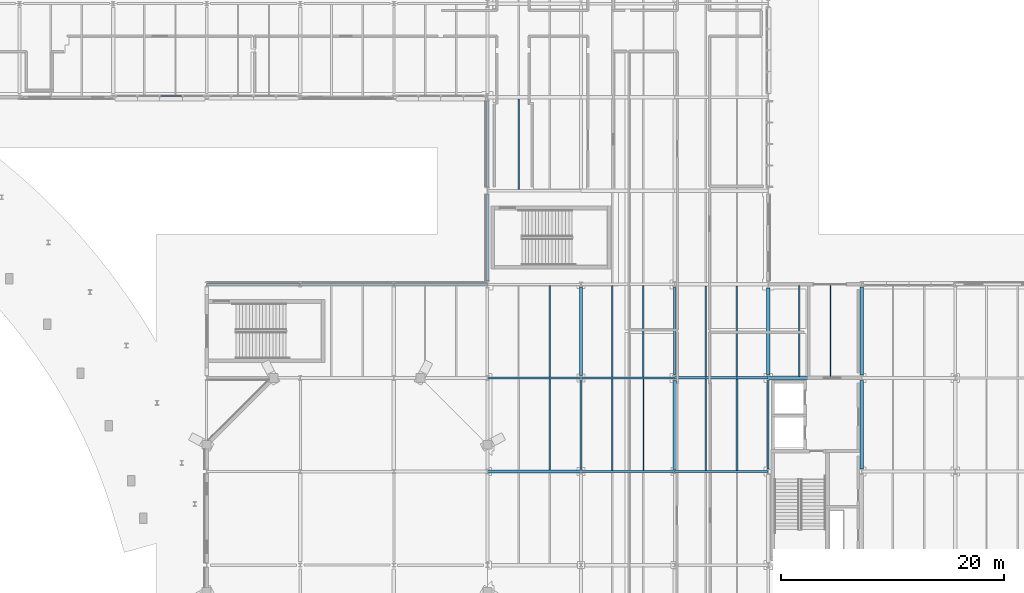
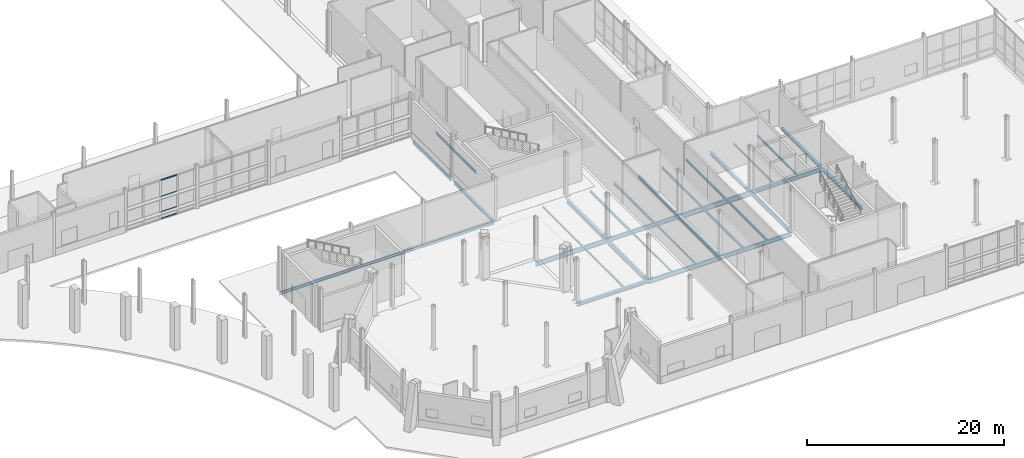
# One storey, part 24 of 124: 33 beams, 4 members, 1 element without a shape of its own.
"""IFC4 building model written with IfcOpenShell, lengths in metres."""

from ifc_helpers import new_model, si_unit, direction, frame, origin, origin_2d, place, context, subcontext, project, spatial, hollow_rectangle, i_section, extrude, material, material_profile, profile_set, type_object, element, aggregate, save


model = new_model("IFC4")

# Units and contexts
model_context = context("Model", 3, precision=1e-05, world=origin(), true_north=direction((0.0, 1.0)))
body_context = subcontext(model_context, "Body", "Model", "MODEL_VIEW")
ifc_project = project(units=[si_unit("LENGTHUNIT", "METRE"), si_unit("AREAUNIT", "SQUARE_METRE"), si_unit("VOLUMEUNIT", "CUBIC_METRE"), si_unit("PLANEANGLEUNIT", "RADIAN"), si_unit("MASSUNIT", "GRAM", prefix="KILO")], contexts=[model_context])

# Site, building, storey
site_placement = place(None, origin())
site = spatial("IfcSite", under=ifc_project, at=site_placement, CompositionType="ELEMENT")
building_placement = place(site_placement, origin())
building = spatial("IfcBuilding", under=site, at=building_placement, Name="Mersafa Astral City Hall", CompositionType="ELEMENT")
storey_placement = place(building_placement, origin())
storey = spatial("IfcBuildingStorey", under=building, at=storey_placement, Name="L00", CompositionType="ELEMENT", Elevation=0.0)

# Curtain wall, members
ifc_material_1 = material(Name="Anodised bronze aluminium framing", Category="aluminium")
curtain_wall_type = type_object("IfcCurtainWallType", Name="ENV-CW-1", PredefinedType="USERDEFINED", material=ifc_material_1)
curtain_wall_placement = place(storey_placement, origin())
curtain_wall = element("IfcCurtainWall", 1, at=curtain_wall_placement, inside=storey, type_object=curtain_wall_type, Name="L00 Unitised solar curtain wall 42", ObjectType="UNITISED CURTAIN WALL", PredefinedType="USERDEFINED")
ifc_material_profile_1 = material_profile(ifc_material_1, hollow_rectangle(XDim=0.06005859375, YDim=0.159912109375, WallThickness=0.00390625, at=origin_2d()), Name="RHS 60x160x4")
ifc_profile_set_1 = profile_set([ifc_material_profile_1], Name="Anodised bronze aluminium framing")
member_type = type_object("IfcMemberType", Name="ENV-CW-TRN-2", PredefinedType="USERDEFINED", material=ifc_profile_set_1)
member_1_placement = place(storey_placement, frame((63.06005859375, 50.52001953125, 0.028076171875), z_axis=(1.0, 0.0, 0.0), x_axis=(0.0, 1.0, 0.0)))
member_1 = element("IfcMember", 2, at=member_1_placement, type_object=member_type, Name="CW-1 transom 3.1", ObjectType="TRANSOM", PredefinedType="USERDEFINED", context=body_context, shape_type="SweptSolid", body=[
    extrude(hollow_rectangle(XDim=0.06005859375, YDim=0.159912109375, WallThickness=0.00390625, at=origin_2d()), origin(), (0.0, 0.0, 1.0), 1.89892578125),
])
member_2_placement = place(storey_placement, frame((63.06005859375, 50.52001953125, 0.85009765625), z_axis=(1.0, 0.0, 0.0), x_axis=(0.0, 1.0, 0.0)))
member_2 = element("IfcMember", 3, at=member_2_placement, type_object=member_type, Name="CW-1 transom 3.2", ObjectType="TRANSOM", PredefinedType="USERDEFINED", context=body_context, shape_type="SweptSolid", body=[
    extrude(hollow_rectangle(XDim=0.06005859375, YDim=0.159912109375, WallThickness=0.00390625, at=origin_2d()), origin(), (0.0, 0.0, 1.0), 1.89892578125),
])
member_3_placement = place(storey_placement, frame((63.06005859375, 50.52001953125, 2.75), z_axis=(1.0, 0.0, 0.0), x_axis=(0.0, 1.0, 0.0)))
member_3 = element("IfcMember", 4, at=member_3_placement, type_object=member_type, Name="CW-1 transom 3.3", ObjectType="TRANSOM", PredefinedType="USERDEFINED", context=body_context, shape_type="SweptSolid", body=[
    extrude(hollow_rectangle(XDim=0.06005859375, YDim=0.159912109375, WallThickness=0.00390625, at=origin_2d()), origin(), (0.0, 0.0, 1.0), 1.89892578125),
])
member_4_placement = place(storey_placement, frame((63.06005859375, 50.52001953125, 4.81201171875), z_axis=(1.0, 0.0, 0.0), x_axis=(0.0, 1.0, 0.0)))
member_4 = element("IfcMember", 5, at=member_4_placement, type_object=member_type, Name="CW-1 transom 3.4", ObjectType="TRANSOM", PredefinedType="USERDEFINED", context=body_context, shape_type="SweptSolid", body=[
    extrude(hollow_rectangle(XDim=0.06005859375, YDim=0.159912109375, WallThickness=0.00390625, at=origin_2d()), origin(), (0.0, 0.0, 1.0), 1.89892578125),
])
aggregate(curtain_wall, [member_1, member_2, member_3, member_4])

# Beams
ifc_material_2 = material(Name="Steel S355", Category="steel")
ifc_material_profile_2 = material_profile(ifc_material_2, i_section(OverallWidth=0.300048828125, OverallDepth=0.31005859375, WebThickness=0.009033203125, FlangeThickness=0.015380859375, FilletRadius=0.027099609375, at=origin_2d()), Name="HEA 320")
ifc_profile_set_2 = profile_set([ifc_material_profile_2], Name="Steel S355")
beam_type_1 = type_object("IfcBeamType", Name="STR-BM-HEA320", PredefinedType="BEAM", material=ifc_profile_set_2)
beam_1_placement = place(storey_placement, frame((126.0, 25.445068359375, -0.405029296875), z_axis=(0.0, 1.0, 0.0), x_axis=(-1.0, 0.0, 0.0)))
element("IfcBeam", 6, at=beam_1_placement, inside=storey, type_object=beam_type_1, Name="L00 Primary girder Y 15-3", PredefinedType="BEAM", context=body_context, shape_type="SweptSolid", body=[
    extrude(i_section(OverallWidth=0.300048828125, OverallDepth=0.31005859375, WebThickness=0.009033203125, FlangeThickness=0.015380859375, FilletRadius=0.027099609375, at=origin_2d()), origin(), (0.0, 0.0, 1.0), 7.909912109375),
])
ifc_material_profile_3 = material_profile(ifc_material_2, i_section(OverallWidth=0.300048828125, OverallDepth=0.35009765625, WebThickness=0.010009765625, FlangeThickness=0.017578125, FilletRadius=0.027099609375, at=origin_2d()), Name="HEA 360")
ifc_profile_set_3 = profile_set([ifc_material_profile_3], Name="Steel S355")
beam_type_2 = type_object("IfcBeamType", Name="STR-BM-HEA360", PredefinedType="BEAM", material=ifc_profile_set_3)
beam_2_placement = place(storey_placement, frame((117.60009765625, 25.445068359375, -0.425048828125), z_axis=(0.0, 1.0, 0.0), x_axis=(-1.0, 0.0, 0.0)))
element("IfcBeam", 7, at=beam_2_placement, inside=storey, type_object=beam_type_2, Name="L00 Primary girder Y 14-3", PredefinedType="BEAM", context=body_context, shape_type="SweptSolid", body=[
    extrude(i_section(OverallWidth=0.300048828125, OverallDepth=0.35009765625, WebThickness=0.010009765625, FlangeThickness=0.017578125, FilletRadius=0.027099609375, at=origin_2d()), origin(), (0.0, 0.0, 1.0), 7.8349609375),
])
beam_3_placement = place(storey_placement, frame((126.0, 17.044921875, -0.425048828125), z_axis=(0.0, 1.0, 0.0), x_axis=(-1.0, 0.0, 0.0)))
element("IfcBeam", 8, at=beam_3_placement, inside=storey, type_object=beam_type_2, Name="L00 Primary girder Y 15-2", PredefinedType="BEAM", context=body_context, shape_type="SweptSolid", body=[
    extrude(i_section(OverallWidth=0.300048828125, OverallDepth=0.35009765625, WebThickness=0.010009765625, FlangeThickness=0.017578125, FilletRadius=0.027099609375, at=origin_2d()), origin(), (0.0, 0.0, 1.0), 7.91015625),
])
ifc_material_profile_4 = material_profile(ifc_material_2, i_section(OverallWidth=0.300048828125, OverallDepth=0.389892578125, WebThickness=0.010986328125, FlangeThickness=0.01904296875, FilletRadius=0.027099609375, at=origin_2d()), Name="HEA 400")
ifc_profile_set_4 = profile_set([ifc_material_profile_4], Name="Steel S355")
beam_type_3 = type_object("IfcBeamType", Name="STR-BM-HEA400", PredefinedType="BEAM", material=ifc_profile_set_4)
beam_4_placement = place(storey_placement, frame((92.403076171875, 16.800048828125, -0.445068359375), z_axis=(1.0, 0.0, 0.0), x_axis=(0.0, 1.0, 0.0)))
element("IfcBeam", 9, at=beam_4_placement, inside=storey, type_object=beam_type_3, Name="L00 Primary girder X 11-2", PredefinedType="BEAM", context=body_context, shape_type="SweptSolid", body=[
    extrude(i_section(OverallWidth=0.300048828125, OverallDepth=0.389892578125, WebThickness=0.010986328125, FlangeThickness=0.01904296875, FilletRadius=0.027099609375, at=origin_2d()), origin(), (0.0, 0.0, 1.0), 8.39404296875),
])
ifc_material_profile_5 = material_profile(ifc_material_2, i_section(OverallWidth=0.300048828125, OverallDepth=0.43994140625, WebThickness=0.011474609375, FlangeThickness=0.02099609375, FilletRadius=0.027099609375, at=origin_2d()), Name="HEA 450")
ifc_profile_set_5 = profile_set([ifc_material_profile_5], Name="Steel S355")
beam_type_4 = type_object("IfcBeamType", Name="STR-BM-HEA450", PredefinedType="BEAM", material=ifc_profile_set_5)
beam_5_placement = place(storey_placement, frame((117.60302734375, 25.199951171875, -0.469970703125), z_axis=(1.0, 0.0, 0.0), x_axis=(0.0, 1.0, 0.0)))
element("IfcBeam", 10, at=beam_5_placement, inside=storey, type_object=beam_type_4, Name="L00 Primary girder X 14-3", PredefinedType="BEAM", context=body_context, shape_type="SweptSolid", body=[
    extrude(i_section(OverallWidth=0.300048828125, OverallDepth=0.43994140625, WebThickness=0.011474609375, FlangeThickness=0.02099609375, FilletRadius=0.027099609375, at=origin_2d()), origin(), (0.0, 0.0, 1.0), 8.39404296875),
])
ifc_material_profile_6 = material_profile(ifc_material_2, i_section(OverallWidth=0.300048828125, OverallDepth=0.489990234375, WebThickness=0.011962890625, FlangeThickness=0.02294921875, FilletRadius=0.027099609375, at=origin_2d()), Name="HEA 500")
ifc_profile_set_6 = profile_set([ifc_material_profile_6], Name="Steel S355")
beam_type_5 = type_object("IfcBeamType", Name="STR-BM-HEA500", PredefinedType="BEAM", material=ifc_profile_set_6)
for number, where, z_axis, x_axis, name in (
    (11, (100.800048828125, 25.419921875, -0.4951171875), (0.0, 1.0, 0.0), (-1.0, 0.0, 0.0), "L00 Primary girder Y 12-3"),
    (12, (109.199951171875, 16.9951171875, -0.4951171875), (0.0, 1.0, 0.0), (-1.0, 0.0, 0.0), "L00 Primary girder Y 13-2"),
):
    element("IfcBeam", number, at=place(storey_placement, frame(where, z_axis=z_axis, x_axis=x_axis)), inside=storey, type_object=beam_type_5, Name=name, PredefinedType="BEAM", context=body_context, shape_type="SweptSolid", body=[
        extrude(i_section(OverallWidth=0.300048828125, OverallDepth=0.489990234375, WebThickness=0.011962890625, FlangeThickness=0.02294921875, FilletRadius=0.027099609375, at=origin_2d()), origin(), (0.0, 0.0, 1.0), 7.9599609375),
    ])
ifc_material_profile_7 = material_profile(ifc_material_2, i_section(OverallWidth=0.179931640625, OverallDepth=0.39990234375, WebThickness=0.008544921875, FlangeThickness=0.013427734375, FilletRadius=0.02099609375, at=origin_2d()), Name="IPE 400")
ifc_profile_set_7 = profile_set([ifc_material_profile_7], Name="Steel S355")
beam_type_6 = type_object("IfcBeamType", Name="STR-BM-IPE400", PredefinedType="BEAM", material=ifc_profile_set_7)
beam_6_placement = place(storey_placement, frame((109.199951171875, 25.445068359375, -0.449951171875), z_axis=(0.0, 1.0, 0.0), x_axis=(-1.0, 0.0, 0.0)))
element("IfcBeam", 13, at=beam_6_placement, inside=storey, type_object=beam_type_6, Name="L00 Primary girder Y 13-3", PredefinedType="BEAM", context=body_context, shape_type="SweptSolid", body=[
    extrude(i_section(OverallWidth=0.179931640625, OverallDepth=0.39990234375, WebThickness=0.008544921875, FlangeThickness=0.013427734375, FilletRadius=0.02099609375, at=origin_2d()), origin(), (0.0, 0.0, 1.0), 7.909912109375),
])
beam_7_placement = place(storey_placement, frame((117.60009765625, 17.044921875, -0.449951171875), z_axis=(0.0, 1.0, 0.0), x_axis=(-1.0, 0.0, 0.0)))
element("IfcBeam", 14, at=beam_7_placement, inside=storey, type_object=beam_type_6, Name="L00 Primary girder Y 14-2", PredefinedType="BEAM", context=body_context, shape_type="SweptSolid", body=[
    extrude(i_section(OverallWidth=0.179931640625, OverallDepth=0.39990234375, WebThickness=0.008544921875, FlangeThickness=0.013427734375, FilletRadius=0.02099609375, at=origin_2d()), origin(), (0.0, 0.0, 1.0), 7.91015625),
])
ifc_material_profile_8 = material_profile(ifc_material_2, i_section(OverallWidth=0.199951171875, OverallDepth=0.5, WebThickness=0.01025390625, FlangeThickness=0.01611328125, FilletRadius=0.02099609375, at=origin_2d()), Name="IPE 500")
ifc_profile_set_8 = profile_set([ifc_material_profile_8], Name="Steel S355")
beam_type_7 = type_object("IfcBeamType", Name="STR-BM-IPE500", PredefinedType="BEAM", material=ifc_profile_set_8)
for number, where, z_axis, x_axis, name in (
    (15, (109.202880859375, 16.800048828125, -0.5), (1.0, 0.0, 0.0), (0.0, 1.0, 0.0), "L00 Primary girder X 13-2"),
    (16, (100.802978515625, 25.199951171875, -0.5), (1.0, 0.0, 0.0), (0.0, 1.0, 0.0), "L00 Primary girder X 12-3"),
):
    element("IfcBeam", number, at=place(storey_placement, frame(where, z_axis=z_axis, x_axis=x_axis)), inside=storey, type_object=beam_type_7, Name=name, PredefinedType="BEAM", context=body_context, shape_type="SweptSolid", body=[
        extrude(i_section(OverallWidth=0.199951171875, OverallDepth=0.5, WebThickness=0.01025390625, FlangeThickness=0.01611328125, FilletRadius=0.02099609375, at=origin_2d()), origin(), (0.0, 0.0, 1.0), 8.39404296875),
    ])
ifc_material_profile_9 = material_profile(ifc_material_2, i_section(OverallWidth=0.2099609375, OverallDepth=0.550048828125, WebThickness=0.010986328125, FlangeThickness=0.01708984375, FilletRadius=0.02392578125, at=origin_2d()), Name="IPE 550")
ifc_profile_set_9 = profile_set([ifc_material_profile_9], Name="Steel S355")
beam_type_8 = type_object("IfcBeamType", Name="STR-BM-IPE550", PredefinedType="BEAM", material=ifc_profile_set_9)
for number, where, z_axis, x_axis, name in (
    (17, (100.802978515625, 16.800048828125, -0.52490234375), (1.0, 0.0, 0.0), (0.0, 1.0, 0.0), "L00 Primary girder X 12-2"),
    (18, (92.403076171875, 25.199951171875, -0.52490234375), (1.0, 0.0, 0.0), (0.0, 1.0, 0.0), "L00 Primary girder X 11-3"),
):
    element("IfcBeam", number, at=place(storey_placement, frame(where, z_axis=z_axis, x_axis=x_axis)), inside=storey, type_object=beam_type_8, Name=name, PredefinedType="BEAM", context=body_context, shape_type="SweptSolid", body=[
        extrude(i_section(OverallWidth=0.2099609375, OverallDepth=0.550048828125, WebThickness=0.010986328125, FlangeThickness=0.01708984375, FilletRadius=0.02392578125, at=origin_2d()), origin(), (0.0, 0.0, 1.0), 8.39404296875),
    ])
ifc_material_profile_10 = material_profile(ifc_material_2, i_section(OverallWidth=0.219970703125, OverallDepth=0.60009765625, WebThickness=0.011962890625, FlangeThickness=0.01904296875, FilletRadius=0.02392578125, at=origin_2d()), Name="IPE 600")
ifc_profile_set_10 = profile_set([ifc_material_profile_10], Name="Steel S355")
beam_type_9 = type_object("IfcBeamType", Name="STR-BM-IPE600", PredefinedType="BEAM", material=ifc_profile_set_10)
beam_8_placement = place(storey_placement, frame((109.202880859375, 25.199951171875, -0.550048828125), z_axis=(1.0, 0.0, 0.0), x_axis=(0.0, 1.0, 0.0)))
element("IfcBeam", 19, at=beam_8_placement, inside=storey, type_object=beam_type_9, Name="L00 Primary girder X 13-3", PredefinedType="BEAM", context=body_context, shape_type="SweptSolid", body=[
    extrude(i_section(OverallWidth=0.219970703125, OverallDepth=0.60009765625, WebThickness=0.011962890625, FlangeThickness=0.01904296875, FilletRadius=0.02392578125, at=origin_2d()), origin(), (0.0, 0.0, 1.0), 8.39404296875),
])
beam_9_placement = place(storey_placement, frame((100.800048828125, 16.9951171875, -0.550048828125), z_axis=(0.0, 1.0, 0.0), x_axis=(-1.0, 0.0, 0.0)))
element("IfcBeam", 20, at=beam_9_placement, inside=storey, type_object=beam_type_9, Name="L00 Primary girder Y 12-2", PredefinedType="BEAM", context=body_context, shape_type="SweptSolid", body=[
    extrude(i_section(OverallWidth=0.219970703125, OverallDepth=0.60009765625, WebThickness=0.011962890625, FlangeThickness=0.01904296875, FilletRadius=0.02392578125, at=origin_2d()), origin(), (0.0, 0.0, 1.0), 7.98486328125),
])
ifc_material_profile_11 = material_profile(ifc_material_2, i_section(OverallWidth=0.110107421875, OverallDepth=0.219970703125, WebThickness=0.005859375, FlangeThickness=0.00927734375, FilletRadius=0.011962890625, at=origin_2d()), Name="IPE 220")
ifc_profile_set_11 = profile_set([ifc_material_profile_11], Name="Steel S355")
beam_type_10 = type_object("IfcBeamType", Name="STR-BM-JOIST-IPE220", PredefinedType="JOIST", material=ifc_profile_set_11)
beam_10_placement = place(storey_placement, frame((98.0, 25.300048828125, -0.360107421875), z_axis=(0.0, 1.0, 0.0), x_axis=(-1.0, 0.0, 0.0)))
element("IfcBeam", 21, at=beam_10_placement, inside=storey, type_object=beam_type_10, Name="L00 Composite secondary floor joist 63", PredefinedType="JOIST", context=body_context, shape_type="SweptSolid", body=[
    extrude(i_section(OverallWidth=0.110107421875, OverallDepth=0.219970703125, WebThickness=0.005859375, FlangeThickness=0.00927734375, FilletRadius=0.011962890625, at=origin_2d()), origin(), (0.0, 0.0, 1.0), 8.204833984375),
])
for number, where, z_axis, x_axis, name in (
    (22, (103.60009765625, 16.89990234375, -0.360107421875), (0.0, 1.0, 0.0), (-1.0, 0.0, 0.0), "L00 Composite secondary floor joist 82"),
    (23, (106.39990234375, 16.89990234375, -0.360107421875), (0.0, 1.0, 0.0), (-1.0, 0.0, 0.0), "L00 Composite secondary floor joist 83"),
):
    element("IfcBeam", number, at=place(storey_placement, frame(where, z_axis=z_axis, x_axis=x_axis)), inside=storey, type_object=beam_type_10, Name=name, PredefinedType="JOIST", context=body_context, shape_type="SweptSolid", body=[
        extrude(i_section(OverallWidth=0.110107421875, OverallDepth=0.219970703125, WebThickness=0.005859375, FlangeThickness=0.00927734375, FilletRadius=0.011962890625, at=origin_2d()), origin(), (0.0, 0.0, 1.0), 8.205078125),
    ])
ifc_material_profile_12 = material_profile(ifc_material_2, i_section(OverallWidth=0.1201171875, OverallDepth=0.239990234375, WebThickness=0.006103515625, FlangeThickness=0.009765625, FilletRadius=0.014892578125, at=origin_2d()), Name="IPE 240")
ifc_profile_set_12 = profile_set([ifc_material_profile_12], Name="Steel S355")
beam_type_11 = type_object("IfcBeamType", Name="STR-BM-JOIST-IPE240", PredefinedType="JOIST", material=ifc_profile_set_12)
beam_11_placement = place(storey_placement, frame((98.0, 16.945068359375, -0.3701171875), z_axis=(0.0, 1.0, 0.0), x_axis=(-1.0, 0.0, 0.0)))
element("IfcBeam", 24, at=beam_11_placement, inside=storey, type_object=beam_type_11, Name="L00 Composite secondary floor joist 61", PredefinedType="JOIST", context=body_context, shape_type="SweptSolid", body=[
    extrude(i_section(OverallWidth=0.1201171875, OverallDepth=0.239990234375, WebThickness=0.006103515625, FlangeThickness=0.009765625, FilletRadius=0.014892578125, at=origin_2d()), origin(), (0.0, 0.0, 1.0), 8.155029296875),
])
for number, where, z_axis, x_axis, name in (
    (25, (120.39990234375, 25.344970703125, -0.3701171875), (0.0, 1.0, 0.0), (-1.0, 0.0, 0.0), "L00 Composite secondary floor joist 140"),
    (26, (123.199951171875, 25.344970703125, -0.3701171875), (0.0, 1.0, 0.0), (-1.0, 0.0, 0.0), "L00 Composite secondary floor joist 141"),
):
    element("IfcBeam", number, at=place(storey_placement, frame(where, z_axis=z_axis, x_axis=x_axis)), inside=storey, type_object=beam_type_11, Name=name, PredefinedType="JOIST", context=body_context, shape_type="SweptSolid", body=[
        extrude(i_section(OverallWidth=0.1201171875, OverallDepth=0.239990234375, WebThickness=0.006103515625, FlangeThickness=0.009765625, FilletRadius=0.014892578125, at=origin_2d()), origin(), (0.0, 0.0, 1.0), 8.175048828125),
    ])
ifc_material_profile_13 = material_profile(ifc_material_2, i_section(OverallWidth=0.135009765625, OverallDepth=0.27001953125, WebThickness=0.006591796875, FlangeThickness=0.01025390625, FilletRadius=0.014892578125, at=origin_2d()), Name="IPE 270")
ifc_profile_set_13 = profile_set([ifc_material_profile_13], Name="Steel S355")
beam_type_12 = type_object("IfcBeamType", Name="STR-BM-JOIST-IPE270", PredefinedType="JOIST", material=ifc_profile_set_13)
beam_12_placement = place(storey_placement, frame((95.199951171875, 42.10498046875, -0.385009765625), z_axis=(0.0, 1.0, 0.0), x_axis=(-1.0, 0.0, 0.0)))
element("IfcBeam", 27, at=beam_12_placement, inside=storey, type_object=beam_type_12, Name="L00 Composite secondary floor joist 64", PredefinedType="JOIST", context=body_context, shape_type="SweptSolid", body=[
    extrude(i_section(OverallWidth=0.135009765625, OverallDepth=0.27001953125, WebThickness=0.006591796875, FlangeThickness=0.01025390625, FilletRadius=0.014892578125, at=origin_2d()), origin(), (0.0, 0.0, 1.0), 8.14990234375),
])
for number, where, z_axis, x_axis, name in (
    (28, (112.0, 25.304931640625, -0.385009765625), (0.0, 1.0, 0.0), (-1.0, 0.0, 0.0), "L00 Composite secondary floor joist 114"),
    (29, (114.800048828125, 25.304931640625, -0.385009765625), (0.0, 1.0, 0.0), (-1.0, 0.0, 0.0), "L00 Composite secondary floor joist 115"),
):
    element("IfcBeam", number, at=place(storey_placement, frame(where, z_axis=z_axis, x_axis=x_axis)), inside=storey, type_object=beam_type_12, Name=name, PredefinedType="JOIST", context=body_context, shape_type="SweptSolid", body=[
        extrude(i_section(OverallWidth=0.135009765625, OverallDepth=0.27001953125, WebThickness=0.006591796875, FlangeThickness=0.01025390625, FilletRadius=0.014892578125, at=origin_2d()), origin(), (0.0, 0.0, 1.0), 8.150146484375),
    ])
ifc_material_profile_14 = material_profile(ifc_material_2, i_section(OverallWidth=0.14990234375, OverallDepth=0.300048828125, WebThickness=0.007080078125, FlangeThickness=0.0107421875, FilletRadius=0.014892578125, at=origin_2d()), Name="IPE 300")
ifc_profile_set_14 = profile_set([ifc_material_profile_14], Name="Steel S355")
beam_type_13 = type_object("IfcBeamType", Name="STR-BM-JOIST-IPE300", PredefinedType="JOIST", material=ifc_profile_set_14)
for number, where, z_axis, x_axis, name in (
    (30, (103.60009765625, 25.294921875, -0.39990234375), (0.0, 1.0, 0.0), (-1.0, 0.0, 0.0), "L00 Composite secondary floor joist 84"),
    (31, (106.39990234375, 25.294921875, -0.39990234375), (0.0, 1.0, 0.0), (-1.0, 0.0, 0.0), "L00 Composite secondary floor joist 85"),
):
    element("IfcBeam", number, at=place(storey_placement, frame(where, z_axis=z_axis, x_axis=x_axis)), inside=storey, type_object=beam_type_13, Name=name, PredefinedType="JOIST", context=body_context, shape_type="SweptSolid", body=[
        extrude(i_section(OverallWidth=0.14990234375, OverallDepth=0.300048828125, WebThickness=0.007080078125, FlangeThickness=0.0107421875, FilletRadius=0.014892578125, at=origin_2d()), origin(), (0.0, 0.0, 1.0), 8.2001953125),
    ])
for number, where, z_axis, x_axis, name in (
    (32, (112.0, 16.89501953125, -0.39990234375), (0.0, 1.0, 0.0), (-1.0, 0.0, 0.0), "L00 Composite secondary floor joist 112"),
    (33, (114.800048828125, 16.89501953125, -0.39990234375), (0.0, 1.0, 0.0), (-1.0, 0.0, 0.0), "L00 Composite secondary floor joist 113"),
):
    element("IfcBeam", number, at=place(storey_placement, frame(where, z_axis=z_axis, x_axis=x_axis)), inside=storey, type_object=beam_type_13, Name=name, PredefinedType="JOIST", context=body_context, shape_type="SweptSolid", body=[
        extrude(i_section(OverallWidth=0.14990234375, OverallDepth=0.300048828125, WebThickness=0.007080078125, FlangeThickness=0.0107421875, FilletRadius=0.014892578125, at=origin_2d()), origin(), (0.0, 0.0, 1.0), 8.199951171875),
    ])
ifc_material_profile_15 = material_profile(ifc_material_2, i_section(OverallWidth=0.280029296875, OverallDepth=0.27001953125, WebThickness=0.008056640625, FlangeThickness=0.012939453125, FilletRadius=0.02392578125, at=origin_2d()), Name="HEA 280")
ifc_profile_set_15 = profile_set([ifc_material_profile_15], Name="Steel S355")
beam_type_14 = type_object("IfcBeamType", Name="STR-BM-SPANDREL-HEA280", PredefinedType="SPANDREL", material=ifc_profile_set_15)
beam_13_placement = place(storey_placement, frame((92.39990234375, 33.919921875, -0.385009765625), z_axis=(0.0, 1.0, 0.0), x_axis=(-1.0, 0.0, 0.0)))
element("IfcBeam", 34, at=beam_13_placement, inside=storey, type_object=beam_type_14, Name="L00 Primary girder Y 11-4", PredefinedType="SPANDREL", context=body_context, shape_type="SweptSolid", body=[
    extrude(i_section(OverallWidth=0.280029296875, OverallDepth=0.27001953125, WebThickness=0.008056640625, FlangeThickness=0.012939453125, FilletRadius=0.02392578125, at=origin_2d()), origin(), (0.0, 0.0, 1.0), 7.760009765625),
])
ifc_material_profile_16 = material_profile(ifc_material_2, i_section(OverallWidth=0.159912109375, OverallDepth=0.330078125, WebThickness=0.007568359375, FlangeThickness=0.011474609375, FilletRadius=0.01806640625, at=origin_2d()), Name="IPE 330")
ifc_profile_set_16 = profile_set([ifc_material_profile_16], Name="Steel S355")
beam_type_15 = type_object("IfcBeamType", Name="STR-BM-SPANDREL-IPE330", PredefinedType="SPANDREL", material=ifc_profile_set_16)
beam_14_placement = place(storey_placement, frame((75.60302734375, 33.60009765625, -0.4150390625), z_axis=(1.0, 0.0, 0.0), x_axis=(0.0, 1.0, 0.0)))
element("IfcBeam", 35, at=beam_14_placement, inside=storey, type_object=beam_type_15, Name="L00 Primary girder X 9-4", PredefinedType="SPANDREL", context=body_context, shape_type="SweptSolid", body=[
    extrude(i_section(OverallWidth=0.159912109375, OverallDepth=0.330078125, WebThickness=0.007568359375, FlangeThickness=0.011474609375, FilletRadius=0.01806640625, at=origin_2d()), origin(), (0.0, 0.0, 1.0), 8.39404296875),
])
ifc_material_profile_17 = material_profile(ifc_material_2, i_section(OverallWidth=0.169921875, OverallDepth=0.360107421875, WebThickness=0.008056640625, FlangeThickness=0.0126953125, FilletRadius=0.01806640625, at=origin_2d()), Name="IPE 360")
ifc_profile_set_17 = profile_set([ifc_material_profile_17], Name="Steel S355")
beam_type_16 = type_object("IfcBeamType", Name="STR-BM-SPANDREL-IPE360", PredefinedType="SPANDREL", material=ifc_profile_set_17)
for number, where, z_axis, x_axis, name in (
    (36, (67.202880859375, 33.60009765625, -0.429931640625), (1.0, 0.0, 0.0), (0.0, 1.0, 0.0), "L00 Primary girder X 8-4"),
    (37, (84.0029296875, 33.60009765625, -0.429931640625), (1.0, 0.0, 0.0), (0.0, 1.0, 0.0), "L00 Primary girder X 10-4"),
):
    element("IfcBeam", number, at=place(storey_placement, frame(where, z_axis=z_axis, x_axis=x_axis)), inside=storey, type_object=beam_type_16, Name=name, PredefinedType="SPANDREL", context=body_context, shape_type="SweptSolid", body=[
        extrude(i_section(OverallWidth=0.169921875, OverallDepth=0.360107421875, WebThickness=0.008056640625, FlangeThickness=0.0126953125, FilletRadius=0.01806640625, at=origin_2d()), origin(), (0.0, 0.0, 1.0), 8.39404296875),
    ])
beam_15_placement = place(storey_placement, frame((92.39990234375, 42.320068359375, -0.429931640625), z_axis=(0.0, 1.0, 0.0), x_axis=(-1.0, 0.0, 0.0)))
element("IfcBeam", 38, at=beam_15_placement, inside=storey, type_object=beam_type_16, Name="L00 Primary girder Y 11-5", PredefinedType="SPANDREL", context=body_context, shape_type="SweptSolid", body=[
    extrude(i_section(OverallWidth=0.169921875, OverallDepth=0.360107421875, WebThickness=0.008056640625, FlangeThickness=0.0126953125, FilletRadius=0.01806640625, at=origin_2d()), origin(), (0.0, 0.0, 1.0), 7.760009765625),
])

save(model, "model.ifc")
